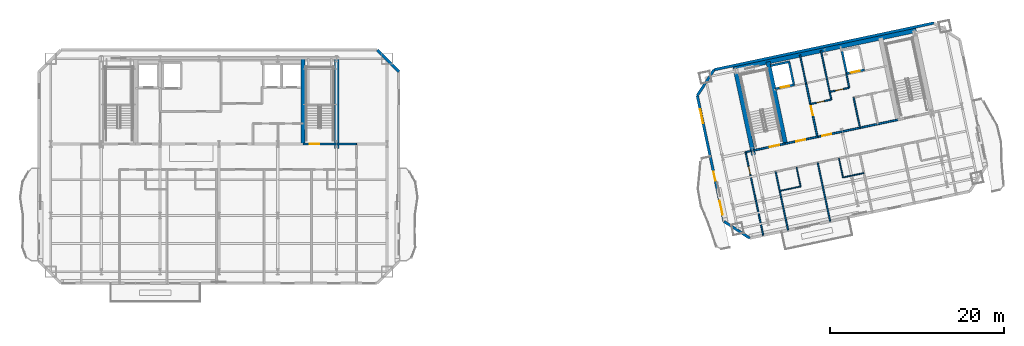
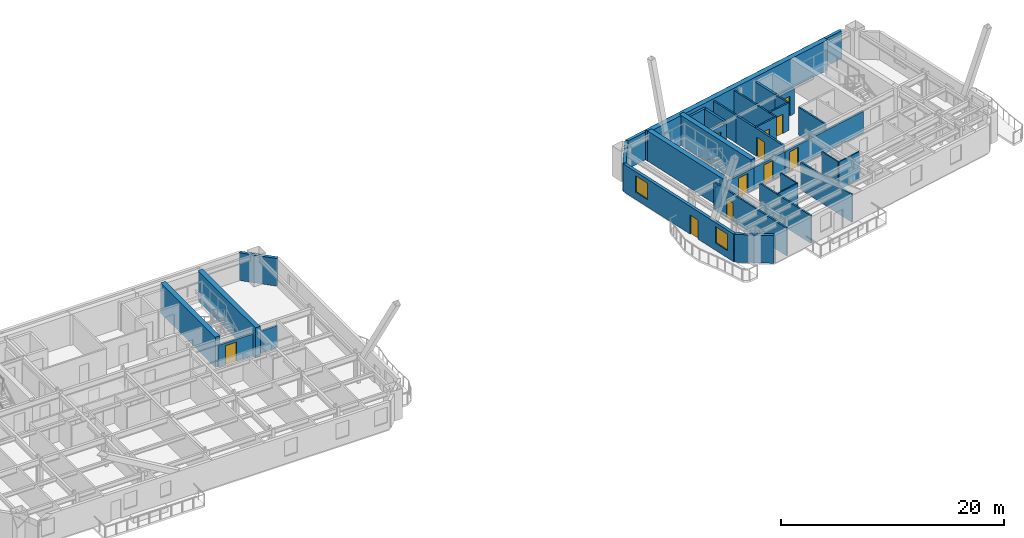
# One storey, part 7 of 13: 35 walls, 11 doors, 2 windows, 13 openings.
"""IFC4 building model written with IfcOpenShell, lengths in metres."""

from ifc_helpers import new_model, si_unit, direction, frame, frame_2d, origin, place, context, subcontext, project, spatial, rectangle, extrude, material, layer, layer_set, type_object, element, fill, save


model = new_model("IFC4")

# Units and contexts
model_context = context("Model", 3, precision=1e-05, world=origin(), true_north=direction((0.0, 1.0)))
body_context = subcontext(model_context, "Body", "Model", "MODEL_VIEW")
ifc_project = project(units=[si_unit("LENGTHUNIT", "METRE"), si_unit("AREAUNIT", "SQUARE_METRE"), si_unit("VOLUMEUNIT", "CUBIC_METRE"), si_unit("PLANEANGLEUNIT", "RADIAN"), si_unit("MASSUNIT", "GRAM", prefix="KILO")], contexts=[model_context])

# Site, building, storey
site_placement = place(None, origin())
site = spatial("IfcSite", under=ifc_project, at=site_placement, CompositionType="ELEMENT")
building_placement = place(site_placement, origin())
building = spatial("IfcBuilding", under=site, at=building_placement, Name="Haevon Station Towers", CompositionType="ELEMENT")
storey_placement = place(building_placement, frame((0.0, 0.0, 185.699951171875)))
storey = spatial("IfcBuildingStorey", under=building, at=storey_placement, Name="L51", CompositionType="ELEMENT", Elevation=185.699951171875)

# Wall
ifc_material_1 = material(Name="Gypsum board on steel stud", Category="steel")
ifc_layer_1 = layer(ifc_material_1, 0.179931640625)
ifc_layer_set_1 = layer_set([ifc_layer_1], Name="Gypsum board on steel stud")
wall_type_1 = type_object("IfcWallType", Name="WL-ACU180", PredefinedType="PARTITIONING", material=ifc_layer_set_1)
wall_1_placement = place(storey_placement, frame((51.0, 38.199951171875, 0.0), z_axis=(0.0, 0.0, 1.0), x_axis=(1.0, 0.0, 0.0)))
element("IfcWall", 1, at=wall_1_placement, inside=storey, type_object=wall_type_1, Name="WL-T1PT-L51-03", PredefinedType="PARTITIONING", context=body_context, shape_type="SweptSolid", body=[
    extrude(rectangle(XDim=2.300048828125, YDim=0.179931640625, at=frame_2d((1.14990234375, 0.0))), origin(), (0.0, 0.0, 1.0), 2.380126953125),
])

# Wall, opening, door
ifc_layer_2 = layer(ifc_material_1, 0.199951171875)
ifc_layer_set_2 = layer_set([ifc_layer_2], Name="Gypsum board on steel stud")
wall_type_2 = type_object("IfcWallType", Name="WL-COR200", PredefinedType="PARTITIONING", material=ifc_layer_set_2)
wall_2_placement = place(storey_placement, frame((47.14990234375, 38.199951171875, 0.0), z_axis=(0.0, 0.0, 1.0), x_axis=(1.0, 0.0, 0.0)))
wall_2 = element("IfcWall", 2, at=wall_2_placement, inside=storey, type_object=wall_type_2, Name="WL-ST-ST2-L51", PredefinedType="PARTITIONING", context=body_context, shape_type="SweptSolid", body=[
    extrude(rectangle(XDim=3.85009765625, YDim=0.199951171875, at=frame_2d((1.925048828125, 0.0))), origin(), (0.0, 0.0, 1.0), 2.380126953125),
])
opening_1_placement = place(wall_2_placement, frame((0.75, 0.0, 0.0)))
opening_1 = element("IfcOpeningElement", 3, at=opening_1_placement, cuts=wall_2, Name="Opening DR-ST-ST2-L51", PredefinedType="OPENING", context=body_context, shape_type="SweptSolid", body=[
    extrude(rectangle(XDim=1.1201171875, YDim=2.10009765625, at=frame_2d((0.56005859375, 1.050048828125))), frame((0.0, 0.10986328125, 0.0), z_axis=(0.0, -1.0, 0.0), x_axis=(1.0, 0.0, 0.0)), (0.0, 0.0, 1.0), 0.219970703125),
])
ifc_material_2 = material(Name="Engineered oak timber", Category="wood")
door_type_1 = type_object("IfcDoorType", Name="DR-ST-1120", OperationType="NOTDEFINED", PredefinedType="DOOR", material=ifc_material_2)
door_1_placement = place(opening_1_placement, origin())
door_1 = element("IfcDoor", 4, at=door_1_placement, inside=storey, type_object=door_type_1, Name="L51 Escape Stair ST2 Fire Door", OperationType="SINGLE_SWING_RIGHT", OverallHeight=2.10009765625, OverallWidth=1.1201171875, PredefinedType="DOOR", context=body_context, shape_type="SweptSolid", body=[
    extrude(rectangle(XDim=1.1201171875, YDim=2.10009765625, at=frame_2d((0.56005859375, 1.050048828125))), frame((0.0, 0.02490234375, 0.0), z_axis=(0.0, -1.0, 0.0), x_axis=(1.0, 0.0, 0.0)), (0.0, 0.0, 1.0), 0.050048828125),
])
fill(opening_1, door_1)

wall_3_placement = place(storey_placement, frame((98.75244140625, 37.4423828125, 0.0), z_axis=(0.0, 0.0, 1.0), x_axis=(0.978143537786, 0.207930804564, 0.0)))
wall_3 = element("IfcWall", 5, at=wall_3_placement, inside=storey, type_object=wall_type_2, Name="WL-ST-ST3-L51", PredefinedType="PARTITIONING", context=body_context, shape_type="SweptSolid", body=[
    extrude(rectangle(XDim=3.85009765625, YDim=0.199951171875, at=frame_2d((1.925048828125, 0.0))), origin(), (0.0, 0.0, 1.0), 2.380126953125),
])
opening_2_placement = place(wall_3_placement, frame((2.0, 0.0, 0.0)))
opening_2 = element("IfcOpeningElement", 6, at=opening_2_placement, cuts=wall_3, Name="Opening DR-ST-ST3-L51", PredefinedType="OPENING", context=body_context, shape_type="SweptSolid", body=[
    extrude(rectangle(XDim=1.1201171875, YDim=2.10009765625, at=frame_2d((0.56005859375, 1.050048828125))), frame((0.0, 0.10986328125, 0.0), z_axis=(0.0, -1.0, 0.0), x_axis=(1.0, 0.0, 0.0)), (0.0, 0.0, 1.0), 0.219970703125),
])
door_2_placement = place(opening_2_placement, origin())
door_2 = element("IfcDoor", 7, at=door_2_placement, inside=storey, type_object=door_type_1, Name="L51 Escape Stair ST3 Fire Door", OperationType="SINGLE_SWING_LEFT", OverallHeight=2.10009765625, OverallWidth=1.1201171875, PredefinedType="DOOR", context=body_context, shape_type="SweptSolid", body=[
    extrude(rectangle(XDim=1.1201171875, YDim=2.10009765625, at=frame_2d((0.56005859375, 1.050048828125))), frame((0.0, 0.02490234375, 0.0), z_axis=(0.0, -1.0, 0.0), x_axis=(1.0, 0.0, 0.0)), (0.0, 0.0, 1.0), 0.050048828125),
])
fill(opening_2, door_2)

wall_4_placement = place(storey_placement, frame((106.186279296875, 39.0224609375, 0.0), z_axis=(0.0, 0.0, 1.0), x_axis=(-0.207916691923, 0.978146537703, 0.0)))
wall_4 = element("IfcWall", 8, at=wall_4_placement, inside=storey, type_object=wall_type_2, Name="WL-T2FFL-L51-E", PredefinedType="PARTITIONING", context=body_context, shape_type="SweptSolid", body=[
    extrude(rectangle(XDim=6.35009765625, YDim=0.199951171875, at=frame_2d((3.175048828125, 0.0))), origin(), (0.0, 0.0, 1.0), 3.030029296875),
])
opening_3_placement = place(wall_4_placement, frame((2.52001953125, 0.0, 0.0)))
opening_3 = element("IfcOpeningElement", 9, at=opening_3_placement, cuts=wall_4, Name="Opening DR-T2FFL-L51-E", PredefinedType="OPENING", context=body_context, shape_type="SweptSolid", body=[
    extrude(rectangle(XDim=1.050048828125, YDim=2.10009765625, at=frame_2d((0.52490234375, 1.050048828125))), frame((0.0, 0.10986328125, 0.0), z_axis=(0.0, -1.0, 0.0), x_axis=(1.0, 0.0, 0.0)), (0.0, 0.0, 1.0), 0.219970703125),
])
door_type_2 = type_object("IfcDoorType", Name="DR-FD60-1050", OperationType="NOTDEFINED", PredefinedType="DOOR", material=ifc_material_2)
door_3_placement = place(opening_3_placement, origin())
door_3 = element("IfcDoor", 10, at=door_3_placement, inside=storey, type_object=door_type_2, Name="L51 Tower 2 Firefighting Lift Lobby Door E", OperationType="SINGLE_SWING_LEFT", OverallHeight=2.10009765625, OverallWidth=1.050048828125, PredefinedType="DOOR", context=body_context, shape_type="SweptSolid", body=[
    extrude(rectangle(XDim=1.050048828125, YDim=2.10009765625, at=frame_2d((0.52490234375, 1.050048828125))), frame((0.0, 0.02490234375, 0.0), z_axis=(0.0, -1.0, 0.0), x_axis=(1.0, 0.0, 0.0)), (0.0, 0.0, 1.0), 0.050048828125),
])
fill(opening_3, door_3)

wall_5_placement = place(storey_placement, frame((102.518310546875, 38.242919921875, 0.0), z_axis=(0.0, 0.0, 1.0), x_axis=(0.978153555683, 0.20788367301, 0.0)))
wall_5 = element("IfcWall", 11, at=wall_5_placement, inside=storey, type_object=wall_type_2, Name="WL-T2FFL-L51-S", PredefinedType="PARTITIONING", context=body_context, shape_type="SweptSolid", body=[
    extrude(rectangle(XDim=3.75, YDim=0.199951171875, at=frame_2d((1.875, 0.0))), origin(), (0.0, 0.0, 1.0), 2.380126953125),
])
opening_4_placement = place(wall_5_placement, frame((1.25, 0.0, 0.0)))
opening_4 = element("IfcOpeningElement", 12, at=opening_4_placement, cuts=wall_5, Name="Opening DR-T2FFL-L51-S", PredefinedType="OPENING", context=body_context, shape_type="SweptSolid", body=[
    extrude(rectangle(XDim=1.050048828125, YDim=2.10009765625, at=frame_2d((0.52490234375, 1.050048828125))), frame((0.0, 0.10986328125, 0.0), z_axis=(0.0, -1.0, 0.0), x_axis=(1.0, 0.0, 0.0)), (0.0, 0.0, 1.0), 0.219970703125),
])
door_4_placement = place(opening_4_placement, origin())
door_4 = element("IfcDoor", 13, at=door_4_placement, inside=storey, type_object=door_type_2, Name="L51 Tower 2 Firefighting Lift Lobby Door S", OperationType="SINGLE_SWING_RIGHT", OverallHeight=2.10009765625, OverallWidth=1.050048828125, PredefinedType="DOOR", context=body_context, shape_type="SweptSolid", body=[
    extrude(rectangle(XDim=1.050048828125, YDim=2.10009765625, at=frame_2d((0.52490234375, 1.050048828125))), frame((0.0, 0.02490234375, 0.0), z_axis=(0.0, -1.0, 0.0), x_axis=(1.0, 0.0, 0.0)), (0.0, 0.0, 1.0), 0.050048828125),
])
fill(opening_4, door_4)

wall_6_placement = place(storey_placement, frame((106.186279296875, 39.0224609375, 0.0), z_axis=(0.0, 0.0, 1.0), x_axis=(0.978145519981, 0.20792147975, 0.0)))
wall_6 = element("IfcWall", 14, at=wall_6_placement, inside=storey, type_object=wall_type_2, Name="WL-T2CLB-L51", PredefinedType="PARTITIONING", context=body_context, shape_type="SweptSolid", body=[
    extrude(rectangle(XDim=9.449951171875, YDim=0.199951171875, at=frame_2d((4.72509765625, 0.0))), origin(), (0.0, 0.0, 1.0), 2.380126953125),
])
opening_5_placement = place(wall_6_placement, frame((0.550048828125, 0.0, 0.0)))
opening_5 = element("IfcOpeningElement", 15, at=opening_5_placement, cuts=wall_6, Name="Opening DR-T2CLB-L51-1", PredefinedType="OPENING", context=body_context, shape_type="SweptSolid", body=[
    extrude(rectangle(XDim=1.050048828125, YDim=2.10009765625, at=frame_2d((0.52490234375, 1.050048828125))), frame((0.0, 0.10986328125, 0.0), z_axis=(0.0, -1.0, 0.0), x_axis=(1.0, 0.0, 0.0)), (0.0, 0.0, 1.0), 0.219970703125),
])
door_5_placement = place(opening_5_placement, origin())
door_5 = element("IfcDoor", 16, at=door_5_placement, inside=storey, type_object=door_type_2, Name="L51 Tower 2 Core Lift Lobby Door 1", OperationType="SINGLE_SWING_LEFT", OverallHeight=2.10009765625, OverallWidth=1.050048828125, PredefinedType="DOOR", context=body_context, shape_type="SweptSolid", body=[
    extrude(rectangle(XDim=1.050048828125, YDim=2.10009765625, at=frame_2d((0.52490234375, 1.050048828125))), frame((0.0, 0.02490234375, 0.0), z_axis=(0.0, -1.0, 0.0), x_axis=(1.0, 0.0, 0.0)), (0.0, 0.0, 1.0), 0.050048828125),
])
fill(opening_5, door_5)

# Walls
ifc_material_3 = material(Name="Concrete C60/75", Category="concrete")
ifc_layer_3 = layer(ifc_material_3, 0.5)
ifc_layer_set_3 = layer_set([ifc_layer_3], Name="Concrete C60/75")
wall_type_3 = type_object("IfcWallType", Name="WL-CR500", PredefinedType="SHEAR", material=ifc_layer_set_3)
wall_7_placement = place(storey_placement, frame((51.0, 37.679931640625, 0.0), z_axis=(0.0, 0.0, 1.0), x_axis=(0.0, 1.0, 0.0)))
element("IfcWall", 17, at=wall_7_placement, inside=storey, type_object=wall_type_3, Name="WL-T1CR-L51-E", PredefinedType="SHEAR", context=body_context, shape_type="SweptSolid", body=[
    extrude(rectangle(XDim=10.320068359375, YDim=0.5, at=frame_2d((5.16015625, 0.0))), origin(), (0.0, 0.0, 1.0), 3.300048828125),
])
wall_8_placement = place(storey_placement, frame((47.14990234375, 38.199951171875, 0.0), z_axis=(0.0, 0.0, 1.0), x_axis=(0.0, 1.0, 0.0)))
element("IfcWall", 18, at=wall_8_placement, inside=storey, type_object=wall_type_3, Name="WL-T1CR-L51-M2", PredefinedType="SHEAR", context=body_context, shape_type="SweptSolid", body=[
    extrude(rectangle(XDim=9.800048828125, YDim=0.5, at=frame_2d((4.89990234375, 0.0))), origin(), (0.0, 0.0, 1.0), 3.300048828125),
])
wall_9_placement = place(storey_placement, frame((96.511962890625, 46.78076171875, 0.0), z_axis=(0.0, 0.0, 1.0), x_axis=(0.978148546782, 0.207907239961, 0.0)))
element("IfcWall", 19, at=wall_9_placement, inside=storey, type_object=wall_type_3, Name="WL-T2CR-L51-N", PredefinedType="SHEAR", context=body_context, shape_type="SweptSolid", body=[
    extrude(rectangle(XDim=21.499755859375, YDim=0.5, at=frame_2d((10.75, 0.0))), origin(), (0.0, 0.0, 1.0), 3.300048828125),
])
wall_10_placement = place(storey_placement, frame((98.8603515625, 36.933837890625, 0.0), z_axis=(0.0, 0.0, 1.0), x_axis=(-0.20790924889, 0.978148119778, 0.0)))
element("IfcWall", 20, at=wall_10_placement, inside=storey, type_object=wall_type_3, Name="WL-T2CR-L51-W", PredefinedType="SHEAR", context=body_context, shape_type="SweptSolid", body=[
    extrude(rectangle(XDim=10.119873046875, YDim=0.5, at=frame_2d((5.06005859375, 0.0))), origin(), (0.0, 0.0, 1.0), 3.300048828125),
])
wall_11_placement = place(storey_placement, frame((102.518310546875, 38.242919921875, 0.0), z_axis=(0.0, 0.0, 1.0), x_axis=(-0.207927495108, 0.978144241295, 0.0)))
element("IfcWall", 21, at=wall_11_placement, inside=storey, type_object=wall_type_3, Name="WL-T2CR-L51-M1", PredefinedType="SHEAR", context=body_context, shape_type="SweptSolid", body=[
    extrude(rectangle(XDim=9.599853515625, YDim=0.5, at=frame_2d((4.7998046875, 0.0))), origin(), (0.0, 0.0, 1.0), 3.300048828125),
])
ifc_material_4 = material(Name="Precast concrete C45/55", Category="concrete")
ifc_layer_4 = layer(ifc_material_4, 0.300048828125)
ifc_layer_set_4 = layer_set([ifc_layer_4], Name="Precast concrete C45/55")
wall_type_4 = type_object("IfcWallType", Name="WL-EXT-PIER300", PredefinedType="SOLIDWALL", material=ifc_layer_set_4)
wall_12_placement = place(storey_placement, frame((55.64990234375, 49.0, 0.0), z_axis=(0.0, 0.0, 1.0), x_axis=(0.707106781187, -0.707106781187, 0.0)))
element("IfcWall", 22, at=wall_12_placement, inside=storey, type_object=wall_type_4, Name="WL-T1-L51-NEC", PredefinedType="SOLIDWALL", context=body_context, shape_type="SweptSolid", body=[
    extrude(rectangle(XDim=3.53564453125, YDim=0.300048828125, at=frame_2d((1.767822265625, 0.0))), origin(), (0.0, 0.0, 1.0), 3.030029296875),
])
wall_13_placement = place(storey_placement, frame((98.43603515625, 27.386962890625, 0.0), z_axis=(0.0, 0.0, 1.0), x_axis=(-0.838672309694, 0.544636352948, 0.0)))
element("IfcWall", 23, at=wall_13_placement, inside=storey, type_object=wall_type_4, Name="WL-T2-L51-SWC", PredefinedType="SOLIDWALL", context=body_context, shape_type="SweptSolid", body=[
    extrude(rectangle(XDim=3.535400390625, YDim=0.300048828125, at=frame_2d((1.767578125, 0.0))), origin(), (0.0, 0.0, 1.0), 3.030029296875),
])

# Wall, openings, door, windows
wall_14_placement = place(storey_placement, frame((95.470947265625, 29.3125, 0.0), z_axis=(0.0, 0.0, 1.0), x_axis=(-0.207907783045, 0.978148431348, 0.0)))
wall_14 = element("IfcWall", 24, at=wall_14_placement, inside=storey, type_object=wall_type_4, Name="WL-T2-L51-W", PredefinedType="SOLIDWALL", context=body_context, shape_type="SweptSolid", body=[
    extrude(rectangle(XDim=14.77001953125, YDim=0.300048828125, at=frame_2d((7.385009765625, 0.0))), origin(), (0.0, 0.0, 1.0), 3.030029296875),
])
opening_6_placement = place(wall_14_placement, frame((4.760009765625, 0.0, 0.0)))
opening_6 = element("IfcOpeningElement", 25, at=opening_6_placement, cuts=wall_14, Name="Opening DR-T2-SCAL-L51-W", PredefinedType="OPENING", context=body_context, shape_type="SweptSolid", body=[
    extrude(rectangle(XDim=1.050048828125, YDim=2.10009765625, at=frame_2d((0.52490234375, 1.050048828125))), frame((0.0, 0.159912109375, 0.0), z_axis=(0.0, -1.0, 0.0), x_axis=(1.0, 0.0, 0.0)), (0.0, 0.0, 1.0), 0.320068359375),
])
opening_7_placement = place(wall_14_placement, frame((0.800048828125, 0.0, 0.800048828125)))
opening_7 = element("IfcOpeningElement", 26, at=opening_7_placement, cuts=wall_14, Name="Opening WN-END160", PredefinedType="OPENING", context=body_context, shape_type="SweptSolid", body=[
    extrude(rectangle(XDim=1.60009765625, YDim=1.800048828125, at=frame_2d((0.800048828125, 0.89990234375))), frame((0.0, 0.159912109375, 0.0), z_axis=(0.0, -1.0, 0.0), x_axis=(1.0, 0.0, 0.0)), (0.0, 0.0, 1.0), 0.320068359375),
])
opening_8_placement = place(wall_14_placement, frame((11.543701171875, 0.0, 0.800048828125)))
opening_8 = element("IfcOpeningElement", 27, at=opening_8_placement, cuts=wall_14, Name="Opening WN-END160", PredefinedType="OPENING", context=body_context, shape_type="SweptSolid", body=[
    extrude(rectangle(XDim=1.60009765625, YDim=1.800048828125, at=frame_2d((0.800048828125, 0.89990234375))), frame((0.0, 0.159912109375, 0.0), z_axis=(0.0, -1.0, 0.0), x_axis=(1.0, 0.0, 0.0)), (0.0, 0.0, 1.0), 0.320068359375),
])
ifc_material_5 = material(Name="Thermally broken anodised aluminium and laminated safety glass", Category="aluminium")
door_type_3 = type_object("IfcDoorType", Name="DR-BALC-1050", OperationType="NOTDEFINED", PredefinedType="DOOR", material=ifc_material_5)
door_6_placement = place(opening_6_placement, origin())
door_6 = element("IfcDoor", 28, at=door_6_placement, inside=storey, type_object=door_type_3, Name="Tower 2 L51 West Scalloped Balcony Door", OperationType="SINGLE_SWING_RIGHT", OverallHeight=2.10009765625, OverallWidth=1.050048828125, PredefinedType="DOOR", context=body_context, shape_type="SweptSolid", body=[
    extrude(rectangle(XDim=1.050048828125, YDim=2.10009765625, at=frame_2d((0.52490234375, 1.050048828125))), frame((0.0, 0.02490234375, 0.0), z_axis=(0.0, -1.0, 0.0), x_axis=(1.0, 0.0, 0.0)), (0.0, 0.0, 1.0), 0.050048828125),
])
fill(opening_6, door_6)
ifc_material_6 = material(Name="Low-E triple glazing in thermally broken aluminium", Category="aluminium")
window_type = type_object("IfcWindowType", Name="WN-END160", PartitioningType="SINGLE_PANEL", PredefinedType="WINDOW", material=ifc_material_6)
window_1_placement = place(opening_7_placement, origin())
window_1 = element("IfcWindow", 29, at=window_1_placement, inside=storey, type_object=window_type, Name="WN-T2-L51-W01", OverallHeight=1.800048828125, OverallWidth=1.60009765625, PartitioningType="SINGLE_PANEL", PredefinedType="WINDOW", context=body_context, shape_type="SweptSolid", body=[
    extrude(rectangle(XDim=1.60009765625, YDim=1.800048828125, at=frame_2d((0.800048828125, 0.89990234375))), frame((0.0, 0.030029296875, 0.0), z_axis=(0.0, -1.0, 0.0), x_axis=(1.0, 0.0, 0.0)), (0.0, 0.0, 1.0), 0.06005859375),
])
fill(opening_7, window_1)
window_2_placement = place(opening_8_placement, origin())
window_2 = element("IfcWindow", 30, at=window_2_placement, inside=storey, type_object=window_type, Name="WN-T2-L51-W02", OverallHeight=1.800048828125, OverallWidth=1.60009765625, PartitioningType="SINGLE_PANEL", PredefinedType="WINDOW", context=body_context, shape_type="SweptSolid", body=[
    extrude(rectangle(XDim=1.60009765625, YDim=1.800048828125, at=frame_2d((0.800048828125, 0.89990234375))), frame((0.0, 0.030029296875, 0.0), z_axis=(0.0, -1.0, 0.0), x_axis=(1.0, 0.0, 0.0)), (0.0, 0.0, 1.0), 0.06005859375),
])
fill(opening_8, window_2)

# Walls
wall_15_placement = place(storey_placement, frame((92.400146484375, 43.759765625, 0.0), z_axis=(0.0, 0.0, 1.0), x_axis=(0.544636352948, 0.838672309694, 0.0)))
element("IfcWall", 31, at=wall_15_placement, inside=storey, type_object=wall_type_4, Name="WL-T2-L51-NWC", PredefinedType="SOLIDWALL", context=body_context, shape_type="SweptSolid", body=[
    extrude(rectangle(XDim=3.535400390625, YDim=0.300048828125, at=frame_2d((1.767578125, 0.0))), origin(), (0.0, 0.0, 1.0), 3.030029296875),
])
wall_16_placement = place(storey_placement, frame((94.32568359375, 46.724853515625, 0.0), z_axis=(0.0, 0.0, 1.0), x_axis=(0.978146319248, 0.207917719645, 0.0)))
element("IfcWall", 32, at=wall_16_placement, inside=storey, type_object=wall_type_4, Name="WL-T2-L51-N", PredefinedType="SOLIDWALL", context=body_context, shape_type="SweptSolid", body=[
    extrude(rectangle(XDim=25.7998046875, YDim=0.300048828125, at=frame_2d((12.89990234375, 0.0))), origin(), (0.0, 0.0, 1.0), 3.030029296875),
])
ifc_layer_5 = layer(ifc_material_1, 0.125)
ifc_layer_set_5 = layer_set([ifc_layer_5], Name="Gypsum board on steel stud")
wall_type_5 = type_object("IfcWallType", Name="WL-PRT125", PredefinedType="PARTITIONING", material=ifc_layer_set_5)
wall_17_placement = place(storey_placement, frame((101.86181640625, 32.81787109375, 0.0), z_axis=(0.0, 0.0, 1.0), x_axis=(0.978156824814, 0.207868290196, 0.0)))
element("IfcWall", 33, at=wall_17_placement, inside=storey, type_object=wall_type_5, Name="WL-T2PT-L51-06", PredefinedType="PARTITIONING", context=body_context, shape_type="SweptSolid", body=[
    extrude(rectangle(XDim=2.449951171875, YDim=0.125, at=frame_2d((1.22509765625, 0.0))), origin(), (0.0, 0.0, 1.0), 3.030029296875),
])
wall_18_placement = place(storey_placement, frame((104.25830078125, 33.3271484375, 0.0), z_axis=(0.0, 0.0, 1.0), x_axis=(-0.207891197838, 0.978151956427, 0.0)))
element("IfcWall", 34, at=wall_18_placement, inside=storey, type_object=wall_type_5, Name="WL-T2PT-L51-07", PredefinedType="PARTITIONING", context=body_context, shape_type="SweptSolid", body=[
    extrude(rectangle(XDim=2.25, YDim=0.125, at=frame_2d((1.125, 0.0))), origin(), (0.0, 0.0, 1.0), 3.030029296875),
])
wall_19_placement = place(storey_placement, frame((109.12451171875, 34.361572265625, 0.0), z_axis=(0.0, 0.0, 1.0), x_axis=(0.978136559131, 0.207963630695, 0.0)))
element("IfcWall", 35, at=wall_19_placement, inside=storey, type_object=wall_type_5, Name="WL-T2PT-L51-09", PredefinedType="PARTITIONING", context=body_context, shape_type="SweptSolid", body=[
    extrude(rectangle(XDim=2.449951171875, YDim=0.125, at=frame_2d((1.22509765625, 0.0))), origin(), (0.0, 0.0, 1.0), 3.030029296875),
])
wall_20_placement = place(storey_placement, frame((109.12451171875, 34.361572265625, 0.0), z_axis=(0.0, 0.0, 1.0), x_axis=(-0.207891197838, 0.978151956427, 0.0)))
element("IfcWall", 36, at=wall_20_placement, inside=storey, type_object=wall_type_5, Name="WL-T2PT-L51-10", PredefinedType="PARTITIONING", context=body_context, shape_type="SweptSolid", body=[
    extrude(rectangle(XDim=2.25, YDim=0.125, at=frame_2d((1.125, 0.0))), origin(), (0.0, 0.0, 1.0), 3.030029296875),
])
ifc_layer_6 = layer(ifc_material_1, 0.159912109375)
ifc_layer_set_6 = layer_set([ifc_layer_6], Name="Gypsum board on steel stud")
wall_type_6 = type_object("IfcWallType", Name="WL-PRT160", PredefinedType="PARTITIONING", material=ifc_layer_set_6)
wall_21_placement = place(storey_placement, frame((104.88671875, 45.135986328125, 0.0), z_axis=(0.0, 0.0, 1.0), x_axis=(-0.207846553267, 0.978161443881, 0.0)))
element("IfcWall", 37, at=wall_21_placement, inside=storey, type_object=wall_type_6, Name="WL-T2CW-L51-01", PredefinedType="PARTITIONING", context=body_context, shape_type="SweptSolid", body=[
    extrude(rectangle(XDim=3.35009765625, YDim=0.159912109375, at=frame_2d((1.675048828125, 0.0))), origin(), (0.0, 0.0, 1.0), 3.030029296875),
])

# Wall, opening, door
wall_22_placement = place(storey_placement, frame((105.3857421875, 42.788330078125, 0.0), z_axis=(0.0, 0.0, 1.0), x_axis=(0.978136559131, 0.207963630695, 0.0)))
wall_22 = element("IfcWall", 38, at=wall_22_placement, inside=storey, type_object=wall_type_6, Name="WL-T2CW-L51-02", PredefinedType="PARTITIONING", context=body_context, shape_type="SweptSolid", body=[
    extrude(rectangle(XDim=2.449951171875, YDim=0.159912109375, at=frame_2d((1.22509765625, 0.0))), origin(), (0.0, 0.0, 1.0), 3.030029296875),
])
opening_9_placement = place(wall_22_placement, frame((0.719970703125, 0.0, 0.0)))
opening_9 = element("IfcOpeningElement", 39, at=opening_9_placement, cuts=wall_22, Name="Opening DR-WL-T2CW-L51-02-1", PredefinedType="OPENING", context=body_context, shape_type="SweptSolid", body=[
    extrude(rectangle(XDim=0.89990234375, YDim=2.10009765625, at=frame_2d((0.449951171875, 1.050048828125))), frame((0.0, 0.08984375, 0.0), z_axis=(0.0, -1.0, 0.0), x_axis=(1.0, 0.0, 0.0)), (0.0, 0.0, 1.0), 0.179931640625),
])
door_type_4 = type_object("IfcDoorType", Name="DR-FD60-900", OperationType="NOTDEFINED", PredefinedType="DOOR", material=ifc_material_2)
door_7_placement = place(opening_9_placement, origin())
door_7 = element("IfcDoor", 40, at=door_7_placement, inside=storey, type_object=door_type_4, Name="L51 Tower 2 Core Room Door 2-1", OperationType="SINGLE_SWING_RIGHT", OverallHeight=2.10009765625, OverallWidth=0.89990234375, PredefinedType="DOOR", context=body_context, shape_type="SweptSolid", body=[
    extrude(rectangle(XDim=0.89990234375, YDim=2.10009765625, at=frame_2d((0.449951171875, 1.050048828125))), frame((0.0, 0.02490234375, 0.0), z_axis=(0.0, -1.0, 0.0), x_axis=(1.0, 0.0, 0.0)), (0.0, 0.0, 1.0), 0.050048828125),
])
fill(opening_9, door_7)

# Wall
wall_23_placement = place(storey_placement, frame((107.7822265625, 43.2978515625, 0.0), z_axis=(0.0, 0.0, 1.0), x_axis=(-0.207925279174, 0.978144712341, 0.0)))
element("IfcWall", 41, at=wall_23_placement, inside=storey, type_object=wall_type_6, Name="WL-T2CW-L51-03", PredefinedType="PARTITIONING", context=body_context, shape_type="SweptSolid", body=[
    extrude(rectangle(XDim=5.75, YDim=0.159912109375, at=frame_2d((2.875, 0.0))), origin(), (0.0, 0.0, 1.0), 3.030029296875),
])

# Wall, opening, door
wall_24_placement = place(storey_placement, frame((107.59521484375, 44.17822265625, 0.0), z_axis=(0.0, 0.0, 1.0), x_axis=(0.978162897375, 0.207839712757, 0.0)))
wall_24 = element("IfcWall", 42, at=wall_24_placement, inside=storey, type_object=wall_type_6, Name="WL-T2CW-L51-04", PredefinedType="PARTITIONING", context=body_context, shape_type="SweptSolid", body=[
    extrude(rectangle(XDim=2.300048828125, YDim=0.159912109375, at=frame_2d((1.14990234375, 0.0))), origin(), (0.0, 0.0, 1.0), 3.030029296875),
])
opening_10_placement = place(wall_24_placement, frame((0.679931640625, 0.0, 0.0)))
opening_10 = element("IfcOpeningElement", 43, at=opening_10_placement, cuts=wall_24, Name="Opening DR-WL-T2CW-L51-04-1", PredefinedType="OPENING", context=body_context, shape_type="SweptSolid", body=[
    extrude(rectangle(XDim=0.89990234375, YDim=2.10009765625, at=frame_2d((0.449951171875, 1.050048828125))), frame((0.0, 0.08984375, 0.0), z_axis=(0.0, -1.0, 0.0), x_axis=(1.0, 0.0, 0.0)), (0.0, 0.0, 1.0), 0.179931640625),
])
door_8_placement = place(opening_10_placement, origin())
door_8 = element("IfcDoor", 44, at=door_8_placement, inside=storey, type_object=door_type_4, Name="L51 Tower 2 Core Room Door 4-1", OperationType="SINGLE_SWING_LEFT", OverallHeight=2.10009765625, OverallWidth=0.89990234375, PredefinedType="DOOR", context=body_context, shape_type="SweptSolid", body=[
    extrude(rectangle(XDim=0.89990234375, YDim=2.10009765625, at=frame_2d((0.449951171875, 1.050048828125))), frame((0.0, 0.02490234375, 0.0), z_axis=(0.0, -1.0, 0.0), x_axis=(1.0, 0.0, 0.0)), (0.0, 0.0, 1.0), 0.050048828125),
])
fill(opening_10, door_8)

# Walls
wall_25_placement = place(storey_placement, frame((109.844970703125, 44.65625, 0.0), z_axis=(0.0, 0.0, 1.0), x_axis=(-0.207949787024, 0.97813950236, 0.0)))
element("IfcWall", 45, at=wall_25_placement, inside=storey, type_object=wall_type_6, Name="WL-T2CW-L51-05", PredefinedType="PARTITIONING", context=body_context, shape_type="SweptSolid", body=[
    extrude(rectangle(XDim=1.699951171875, YDim=0.159912109375, at=frame_2d((0.85009765625, 0.0))), origin(), (0.0, 0.0, 1.0), 3.030029296875),
])
wall_26_placement = place(storey_placement, frame((111.076904296875, 40.06201171875, 0.0), z_axis=(0.0, 0.0, 1.0), x_axis=(-0.207899058817, 0.978150285663, 0.0)))
element("IfcWall", 46, at=wall_26_placement, inside=storey, type_object=wall_type_6, Name="WL-T2CW-L51-07", PredefinedType="PARTITIONING", context=body_context, shape_type="SweptSolid", body=[
    extrude(rectangle(XDim=3.550048828125, YDim=0.159912109375, at=frame_2d((1.77490234375, 0.0))), origin(), (0.0, 0.0, 1.0), 3.030029296875),
])
wall_27_placement = place(storey_placement, frame((102.818115234375, 28.318359375, 0.0), z_axis=(0.0, 0.0, 1.0), x_axis=(-0.207897972701, 0.978150516509, 0.0)))
element("IfcWall", 47, at=wall_27_placement, inside=storey, type_object=wall_type_6, Name="WL-T2PT-L51-01", PredefinedType="PARTITIONING", context=body_context, shape_type="SweptSolid", body=[
    extrude(rectangle(XDim=6.849853515625, YDim=0.159912109375, at=frame_2d((3.4248046875, 0.0))), origin(), (0.0, 0.0, 1.0), 3.030029296875),
])
wall_28_placement = place(storey_placement, frame((97.9404296875, 37.269775390625, 0.0), z_axis=(0.0, 0.0, 1.0), x_axis=(0.978145395179, 0.207922066865, 0.0)))
element("IfcWall", 48, at=wall_28_placement, inside=storey, type_object=wall_type_6, Name="WL-T2PT-L51-02", PredefinedType="PARTITIONING", context=body_context, shape_type="SweptSolid", body=[
    extrude(rectangle(XDim=0.830078125, YDim=0.159912109375, at=frame_2d((0.4150390625, 0.0))), origin(), (0.0, 0.0, 1.0), 2.380126953125),
])

# Wall, opening, door
wall_29_placement = place(storey_placement, frame((99.9716796875, 27.71337890625, 0.0), z_axis=(0.0, 0.0, 1.0), x_axis=(-0.207909264222, 0.97814811652, 0.0)))
wall_29 = element("IfcWall", 49, at=wall_29_placement, inside=storey, type_object=wall_type_6, Name="WL-T2PT-L51-04", PredefinedType="PARTITIONING", context=body_context, shape_type="SweptSolid", body=[
    extrude(rectangle(XDim=9.769775390625, YDim=0.159912109375, at=frame_2d((4.884765625, 0.0))), origin(), (0.0, 0.0, 1.0), 3.030029296875),
])
opening_11_placement = place(wall_29_placement, frame((7.169921875, 0.0, 0.0)))
opening_11 = element("IfcOpeningElement", 50, at=opening_11_placement, cuts=wall_29, Name="Opening DR-WL-T2PT-L51-04-01", PredefinedType="OPENING", context=body_context, shape_type="SweptSolid", body=[
    extrude(rectangle(XDim=0.89990234375, YDim=2.050048828125, at=frame_2d((0.449951171875, 1.02490234375))), frame((0.0, 0.08984375, 0.0), z_axis=(0.0, -1.0, 0.0), x_axis=(1.0, 0.0, 0.0)), (0.0, 0.0, 1.0), 0.179931640625),
])
door_type_5 = type_object("IfcDoorType", Name="DR-INT-900", OperationType="NOTDEFINED", PredefinedType="DOOR", material=ifc_material_2)
door_9_placement = place(opening_11_placement, origin())
door_9 = element("IfcDoor", 51, at=door_9_placement, inside=storey, type_object=door_type_5, Name="L51 Tower 2 Room Door 4-1", OperationType="SINGLE_SWING_RIGHT", OverallHeight=2.050048828125, OverallWidth=0.89990234375, PredefinedType="DOOR", context=body_context, shape_type="SweptSolid", body=[
    extrude(rectangle(XDim=0.89990234375, YDim=2.050048828125, at=frame_2d((0.449951171875, 1.02490234375))), frame((0.0, 0.02490234375, 0.0), z_axis=(0.0, -1.0, 0.0), x_axis=(1.0, 0.0, 0.0)), (0.0, 0.0, 1.0), 0.050048828125),
])
fill(opening_11, door_9)

# Wall
wall_30_placement = place(storey_placement, frame((107.647705078125, 29.344970703125, 0.0), z_axis=(0.0, 0.0, 1.0), x_axis=(-0.207897972701, 0.978150516509, 0.0)))
element("IfcWall", 52, at=wall_30_placement, inside=storey, type_object=wall_type_6, Name="WL-T2PT-L51-08", PredefinedType="PARTITIONING", context=body_context, shape_type="SweptSolid", body=[
    extrude(rectangle(XDim=6.849853515625, YDim=0.159912109375, at=frame_2d((3.4248046875, 0.0))), origin(), (0.0, 0.0, 1.0), 3.030029296875),
])

# Wall, opening, door
ifc_material_7 = material(Name="Concrete C40/50", Category="concrete")
ifc_layer_7 = layer(ifc_material_7, 0.239990234375)
ifc_layer_set_7 = layer_set([ifc_layer_7], Name="Concrete C40/50")
wall_type_7 = type_object("IfcWallType", Name="WL-SHF240", PredefinedType="PARTITIONING", material=ifc_layer_set_7)
wall_31_placement = place(storey_placement, frame((101.353759765625, 44.538330078125, 0.0), z_axis=(0.0, 0.0, 1.0), x_axis=(0.978141002414, 0.207942731049, 0.0)))
wall_31 = element("IfcWall", 53, at=wall_31_placement, inside=storey, type_object=wall_type_7, Name="WL-SHF-FL2-L51", PredefinedType="PARTITIONING", context=body_context, shape_type="SweptSolid", body=[
    extrude(rectangle(XDim=2.260009765625, YDim=0.239990234375, at=frame_2d((1.1298828125, 0.0))), origin(), (0.0, 0.0, 1.0), 2.72998046875),
])
opening_12_placement = place(wall_31_placement, frame((0.655029296875, 0.0, 0.0)))
opening_12 = element("IfcOpeningElement", 54, at=opening_12_placement, cuts=wall_31, Name="Opening LD-FL2-L51", PredefinedType="OPENING", context=body_context, shape_type="SweptSolid", body=[
    extrude(rectangle(XDim=0.949951171875, YDim=2.14990234375, at=frame_2d((0.47509765625, 1.074951171875))), frame((0.0, 0.1298828125, 0.0), z_axis=(0.0, -1.0, 0.0), x_axis=(1.0, 0.0, 0.0)), (0.0, 0.0, 1.0), 0.260009765625),
])
ifc_material_8 = material(Name="Stainless steel and rated core", Category="steel")
door_type_6 = type_object("IfcDoorType", Name="LD-FL950", OperationType="SLIDING_TO_LEFT", PredefinedType="DOOR", material=ifc_material_8)
door_10_placement = place(opening_12_placement, origin())
door_10 = element("IfcDoor", 55, at=door_10_placement, inside=storey, type_object=door_type_6, Name="L51 Lift FL2 Sliding Landing Door", OperationType="SLIDING_TO_LEFT", OverallHeight=2.14990234375, OverallWidth=0.949951171875, PredefinedType="DOOR", context=body_context, shape_type="SweptSolid", body=[
    extrude(rectangle(XDim=0.949951171875, YDim=2.14990234375, at=frame_2d((0.47509765625, 1.074951171875))), frame((0.0, 0.02490234375, 0.0), z_axis=(0.0, -1.0, 0.0), x_axis=(1.0, 0.0, 0.0)), (0.0, 0.0, 1.0), 0.050048828125),
])
fill(opening_12, door_10)

# Walls
wall_32_placement = place(storey_placement, frame((100.79248046875, 47.179443359375, 0.0), z_axis=(0.0, 0.0, 1.0), x_axis=(0.978162968872, 0.207839376268, 0.0)))
element("IfcWall", 56, at=wall_32_placement, inside=storey, type_object=wall_type_7, Name="WL-SHF-FL2-L51-N", PredefinedType="PARTITIONING", context=body_context, shape_type="SweptSolid", body=[
    extrude(rectangle(XDim=2.260009765625, YDim=0.239990234375, at=frame_2d((1.1298828125, 0.0))), origin(), (0.0, 0.0, 1.0), 3.030029296875),
])
wall_33_placement = place(storey_placement, frame((103.486328125, 44.99169921875, 0.0), z_axis=(0.0, 0.0, 1.0), x_axis=(-0.207978798957, 0.978133334052, 0.0)))
element("IfcWall", 57, at=wall_33_placement, inside=storey, type_object=wall_type_7, Name="WL-SHF-FL2-L51-E", PredefinedType="PARTITIONING", context=body_context, shape_type="SweptSolid", body=[
    extrude(rectangle(XDim=2.699951171875, YDim=0.239990234375, at=frame_2d((1.35009765625, 0.0))), origin(), (0.0, 0.0, 1.0), 3.030029296875),
])

# Wall, opening, door
wall_34_placement = place(storey_placement, frame((109.472412109375, 46.263916015625, 0.0), z_axis=(0.0, 0.0, 1.0), x_axis=(0.97813528961, 0.207969601673, 0.0)))
wall_34 = element("IfcWall", 58, at=wall_34_placement, inside=storey, type_object=wall_type_7, Name="WL-SHF-PL9-L51", PredefinedType="PARTITIONING", context=body_context, shape_type="SweptSolid", body=[
    extrude(rectangle(XDim=2.159912109375, YDim=0.239990234375, at=frame_2d((1.080078125, 0.0))), origin(), (0.0, 0.0, 1.0), 2.72998046875),
])
opening_13_placement = place(wall_34_placement, frame((0.554931640625, 0.0, 0.0)))
opening_13 = element("IfcOpeningElement", 59, at=opening_13_placement, cuts=wall_34, Name="Opening LD-PL9-L51", PredefinedType="OPENING", context=body_context, shape_type="SweptSolid", body=[
    extrude(rectangle(XDim=1.050048828125, YDim=2.14990234375, at=frame_2d((0.52490234375, 1.074951171875))), frame((0.0, 0.1298828125, 0.0), z_axis=(0.0, -1.0, 0.0), x_axis=(1.0, 0.0, 0.0)), (0.0, 0.0, 1.0), 0.260009765625),
])
door_type_7 = type_object("IfcDoorType", Name="LD-PL1050", OperationType="SLIDING_TO_LEFT", PredefinedType="DOOR", material=ifc_material_8)
door_11_placement = place(opening_13_placement, origin())
door_11 = element("IfcDoor", 60, at=door_11_placement, inside=storey, type_object=door_type_7, Name="L51 Lift PL9 Sliding Landing Door", OperationType="SLIDING_TO_LEFT", OverallHeight=2.14990234375, OverallWidth=1.050048828125, PredefinedType="DOOR", context=body_context, shape_type="SweptSolid", body=[
    extrude(rectangle(XDim=1.050048828125, YDim=2.14990234375, at=frame_2d((0.52490234375, 1.074951171875))), frame((0.0, 0.02490234375, 0.0), z_axis=(0.0, -1.0, 0.0), x_axis=(1.0, 0.0, 0.0)), (0.0, 0.0, 1.0), 0.050048828125),
])
fill(opening_13, door_11)

# Wall
wall_35_placement = place(storey_placement, frame((109.55078125, 46.28076171875, 0.0), z_axis=(0.0, 0.0, 1.0), x_axis=(-0.207892282326, 0.978151725935, 0.0)))
element("IfcWall", 61, at=wall_35_placement, inside=storey, type_object=wall_type_7, Name="WL-SHF-PL9-L51-W", PredefinedType="PARTITIONING", context=body_context, shape_type="SweptSolid", body=[
    extrude(rectangle(XDim=2.699951171875, YDim=0.239990234375, at=frame_2d((1.35009765625, 0.0))), origin(), (0.0, 0.0, 1.0), 3.030029296875),
])

save(model, "model.ifc")
